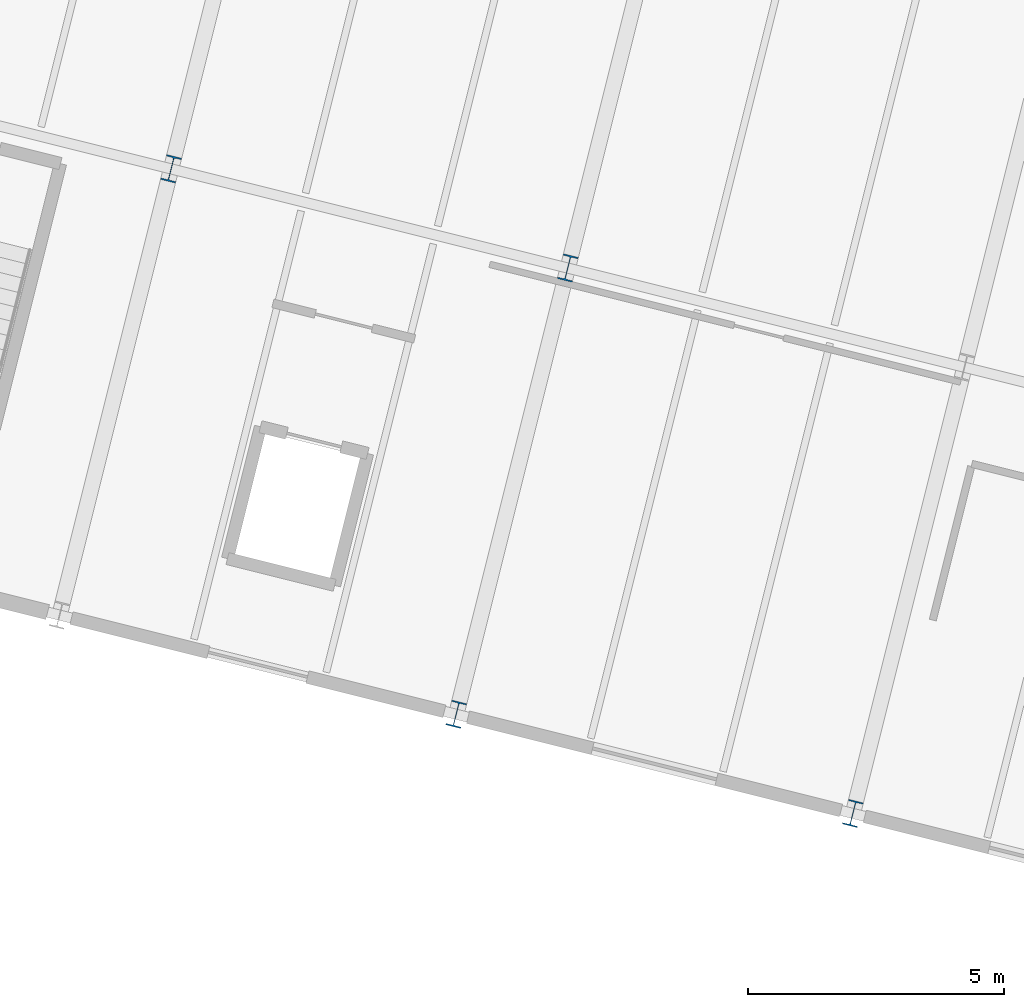
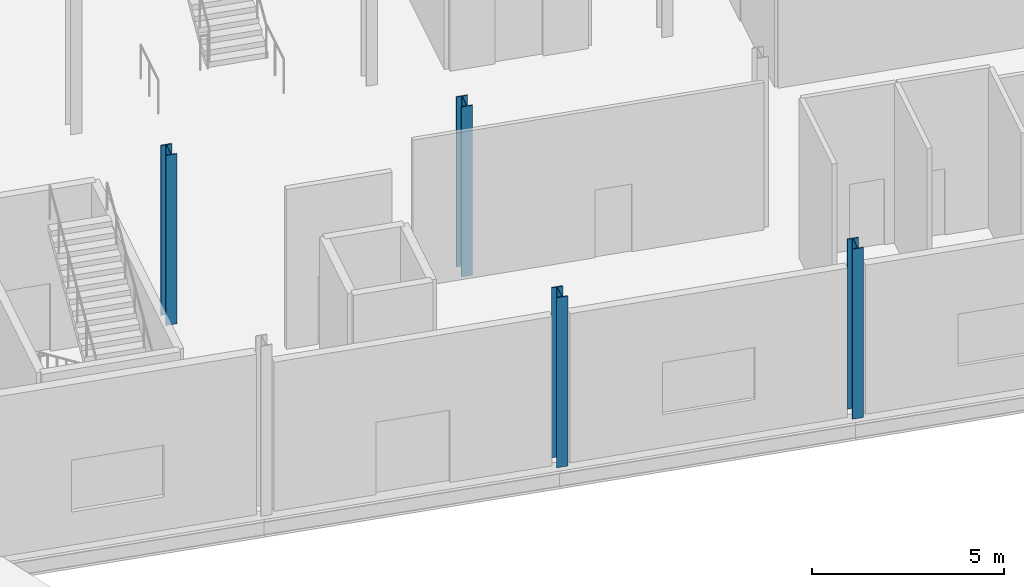
# One storey, part 17 of 158: 4 columns.
"""IFC4 building model written with IfcOpenShell, lengths in metres."""

from ifc_helpers import new_model, si_unit, derived_unit, direction, frame, origin, origin_2d, place, context, subcontext, project, spatial, i_section, extrude, material, material_profile, profile_set, type_object, element, save


model = new_model("IFC4")

# Units and contexts
model_context = context("Model", 3, precision=1e-05, world=origin(), true_north=direction((0.0, 1.0)))
body_context = subcontext(model_context, "Body", "Model", "MODEL_VIEW")
ifc_project = project(units=[si_unit("LENGTHUNIT", "METRE"), si_unit("AREAUNIT", "SQUARE_METRE"), si_unit("VOLUMEUNIT", "CUBIC_METRE"), si_unit("PLANEANGLEUNIT", "RADIAN"), si_unit("MASSUNIT", "GRAM", prefix="KILO"), si_unit("THERMODYNAMICTEMPERATUREUNIT", "KELVIN"), si_unit("TIMEUNIT", "SECOND"), derived_unit("THERMALTRANSMITTANCEUNIT", [(si_unit("MASSUNIT", "GRAM", prefix="KILO"), 1), (si_unit("THERMODYNAMICTEMPERATUREUNIT", "KELVIN"), -1), (si_unit("TIMEUNIT", "SECOND"), -3)])], contexts=[model_context])

# Site, building, storey
site_placement = place(None, origin())
site = spatial("IfcSite", under=ifc_project, at=site_placement, CompositionType="ELEMENT")
building_placement = place(site_placement, origin())
building = spatial("IfcBuilding", under=site, at=building_placement, Name="Cambertide Market Hall", CompositionType="ELEMENT")
storey_placement = place(building_placement, origin())
storey = spatial("IfcBuildingStorey", under=building, at=storey_placement, Name="L01", CompositionType="ELEMENT", Elevation=0.0)

# Columns
ifc_material_1 = material(Name="Steel S355", Category="steel")
ifc_material_profile_1 = material_profile(ifc_material_1, i_section(OverallWidth=0.300048828125, OverallDepth=0.5, WebThickness=0.014404296875, FlangeThickness=0.028076171875, FilletRadius=0.027099609375, at=origin_2d()), Name="HEB 500")
ifc_profile_set_1 = profile_set([ifc_material_profile_1], Name="Steel S355")
column_type_1 = type_object("IfcColumnType", Name="Exterior Steel Column HEB 500", PredefinedType="COLUMN", material=ifc_profile_set_1)
for number, where, z_axis, x_axis, name in (
    (1, (131.283447265625, 94.17919921875, 0.0), (0.0, 0.0, 1.0), (0.970142500145, -0.242535625038, 0.0), "Level 1 Column COL-V4-4-1-L01"),
    (2, (139.044677734375, 92.23876953125, 0.0), (0.0, 0.0, 1.0), (0.970142500145, -0.242535625038, 0.0), "Level 1 Column COL-V4-5-1-L01"),
):
    element("IfcColumn", number, at=place(storey_placement, frame(where, z_axis=z_axis, x_axis=x_axis)), inside=storey, type_object=column_type_1, Name=name, PredefinedType="COLUMN", context=body_context, shape_type="SweptSolid", body=[
        extrude(i_section(OverallWidth=0.300048828125, OverallDepth=0.5, WebThickness=0.014404296875, FlangeThickness=0.028076171875, FilletRadius=0.027099609375, at=origin_2d()), origin(), (0.0, 0.0, 1.0), 5.39990234375),
    ])
ifc_material_2 = material(Name="Steel S355", Category="steel")
ifc_material_profile_2 = material_profile(ifc_material_2, i_section(OverallWidth=0.300048828125, OverallDepth=0.5, WebThickness=0.014404296875, FlangeThickness=0.028076171875, FilletRadius=0.027099609375, at=origin_2d()), Name="HEB 500")
ifc_profile_set_2 = profile_set([ifc_material_profile_2], Name="Steel S355")
column_type_2 = type_object("IfcColumnType", Name="Steel Column HEB 500", PredefinedType="COLUMN", material=ifc_profile_set_2)
for number, where, z_axis, x_axis, name in (
    (3, (125.705078125, 104.850830078125, 0.0), (0.0, 0.0, 1.0), (0.970142500145, -0.242535625038, 0.0), "Level 1 Column COL-V4-3-2-L01"),
    (4, (133.46630859375, 102.910400390625, 0.0), (0.0, 0.0, 1.0), (0.970142500145, -0.242535625038, 0.0), "Level 1 Column COL-V4-4-2-L01"),
):
    element("IfcColumn", number, at=place(storey_placement, frame(where, z_axis=z_axis, x_axis=x_axis)), inside=storey, type_object=column_type_2, Name=name, PredefinedType="COLUMN", context=body_context, shape_type="SweptSolid", body=[
        extrude(i_section(OverallWidth=0.300048828125, OverallDepth=0.5, WebThickness=0.014404296875, FlangeThickness=0.028076171875, FilletRadius=0.027099609375, at=origin_2d()), origin(), (0.0, 0.0, 1.0), 5.39990234375),
    ])

save(model, "model.ifc")
